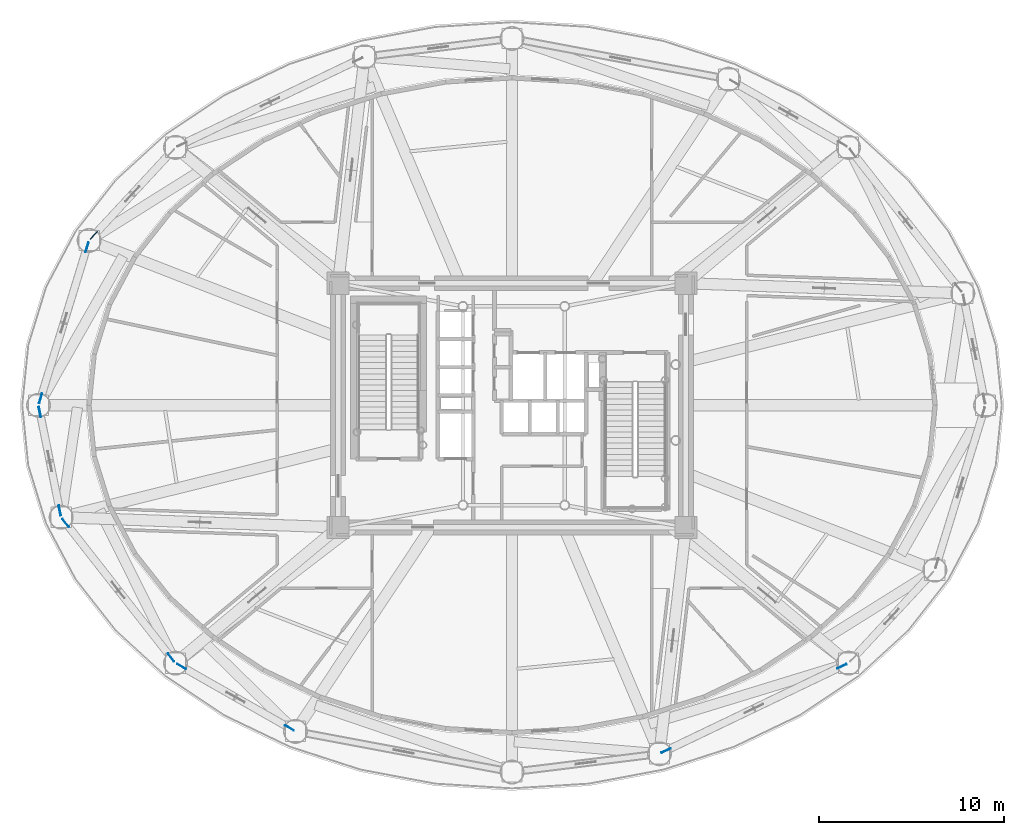
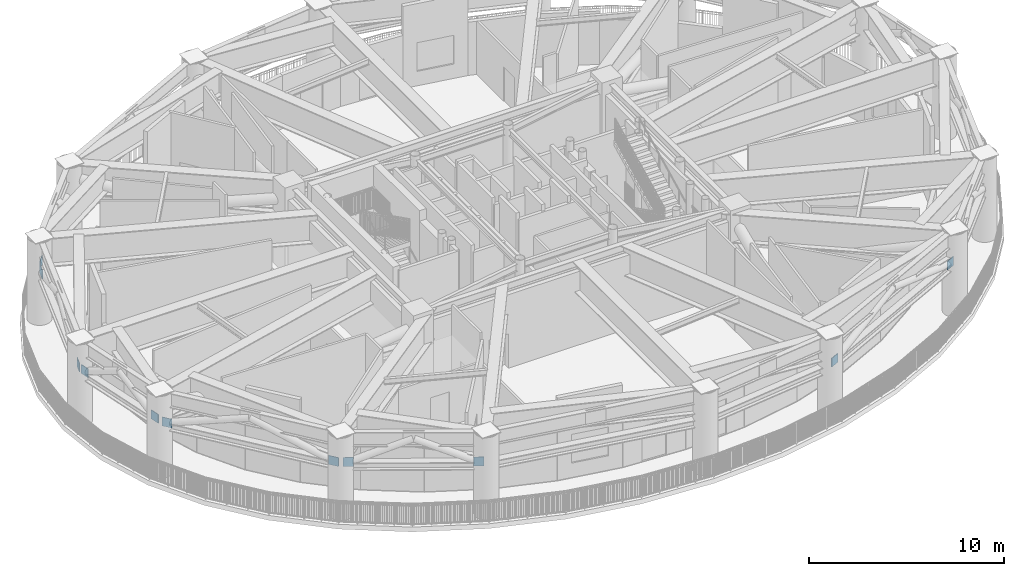
# One storey, part 7 of 20: 11 plates.
"""IFC4 building model written with IfcOpenShell, lengths in metres."""

from ifc_helpers import new_model, si_unit, direction, frame, origin, origin_2d, place, context, subcontext, project, spatial, rectangle, extrude, source, transform, mapped, material, layer, layer_set, type_object, element, save


model = new_model("IFC4")

# Units and contexts
model_context = context("Model", 3, precision=1e-05, world=origin(), true_north=direction((0.0, 1.0)))
body_context = subcontext(model_context, "Body", "Model", "MODEL_VIEW")
ifc_project = project(units=[si_unit("LENGTHUNIT", "METRE"), si_unit("AREAUNIT", "SQUARE_METRE"), si_unit("VOLUMEUNIT", "CUBIC_METRE"), si_unit("PLANEANGLEUNIT", "RADIAN"), si_unit("MASSUNIT", "GRAM", prefix="KILO")], contexts=[model_context])

# Site, building, storey
site_placement = place(None, origin())
site = spatial("IfcSite", under=ifc_project, at=site_placement, CompositionType="ELEMENT")
building_placement = place(site_placement, origin())
building = spatial("IfcBuilding", under=site, at=building_placement, Name="Linh Dai School and Residence Tower", CompositionType="ELEMENT")
storey_placement = place(building_placement, frame((0.0, 0.0, 204.89990234375)))
storey = spatial("IfcBuildingStorey", under=building, at=storey_placement, Name="L50", CompositionType="ELEMENT", Elevation=204.89990234375)

# Plates
ifc_material = material(Name="Structural Steel S355JR", Category="steel")
ifc_layer = layer(ifc_material, 0.0400390625)
ifc_layer_set = layer_set([ifc_layer], Name="Structural Steel S355JR")
plate_type = type_object("IfcPlateType", Name="PLT-GP1", PredefinedType="USERDEFINED", material=ifc_layer_set)
shared_shape = source(origin(), body_context, "Body", "SweptSolid", [
    extrude(rectangle(XDim=0.550048828125, YDim=0.0400390625, at=origin_2d()), origin(), (0.0, 0.0, 1.0), 0.550048828125),
])
for number, where, z_axis, x_axis, name in (
    (1, (13.39501953125, 36.188720703125, 2.95703125), (0.0, 0.0, 1.0), (-0.680367716843, -0.732870909423, 0.0), "L50 Belt Truss BT3 Root End Gusset 07B"),
    (2, (13.021240234375, 35.53271484375, 2.9150390625), (0.0, 0.0, 1.0), (-0.293644327933, -0.955914749689, 0.0), "L50 Belt Truss BT3 Root End Gusset 08A"),
    (3, (10.516357421875, 27.37841796875, 2.9150390625), (0.0, 0.0, 1.0), (-0.293644327933, -0.955914749689, 0.0), "L50 Belt Truss BT3 Root End Gusset 08B"),
    (4, (10.473388671875, 26.636962890625, 2.97314453125), (0.0, 0.0, 1.0), (0.198423978756, -0.98011628119, 0.0), "L50 Belt Truss BT3 Root End Gusset 09A"),
    (5, (11.552001953125, 21.3095703125, 2.97314453125), (0.0, 0.0, 1.0), (0.198423978756, -0.98011628119, 0.0), "L50 Belt Truss BT3 Root End Gusset 09B"),
    (6, (11.87158203125, 20.63232421875, 2.90625), (0.0, 0.0, 1.0), (0.616842561711, -0.787086560717, 0.0), "L50 Belt Truss BT3 Root End Gusset 10A"),
    (7, (17.5615234375, 13.372314453125, 2.90625), (0.0, 0.0, 1.0), (0.616842561711, -0.787086560717, 0.0), "L50 Belt Truss BT3 Root End Gusset 10B"),
    (8, (18.141357421875, 12.868408203125, 2.94482421875), (0.0, 0.0, 1.0), (0.869261064655, -0.49435331644, 0.0), "L50 Belt Truss BT3 Root End Gusset 11A"),
    (9, (23.96044921875, 9.55908203125, 2.94482421875), (0.0, 0.0, 1.0), (0.869261064655, -0.49435331644, 0.0), "L50 Belt Truss BT3 Root End Gusset 11B"),
    (10, (44.3369140625, 8.3330078125, 2.892578125), (0.0, 0.0, 1.0), (0.901714218118, 0.432332590541, 0.0), "L50 Belt Truss BT3 Root End Gusset 14A"),
    (11, (53.828857421875, 12.884033203125, 2.892578125), (0.0, 0.0, 1.0), (0.901714218118, 0.432332590541, 0.0), "L50 Belt Truss BT3 Root End Gusset 14B"),
):
    element("IfcPlate", number, at=place(storey_placement, frame(where, z_axis=z_axis, x_axis=x_axis)), inside=storey, type_object=plate_type, Name=name, ObjectType="GUSSET PLATE", PredefinedType="USERDEFINED", context=body_context, shape_type="MappedRepresentation", body=[
        mapped(shared_shape, transform((0.0, 0.0, 0.0), x_axis=(1.0, 0.0, 0.0), y_axis=(0.0, 1.0, 0.0), z_axis=(0.0, 0.0, 1.0), scale=1.0)),
    ])

save(model, "model.ifc")
